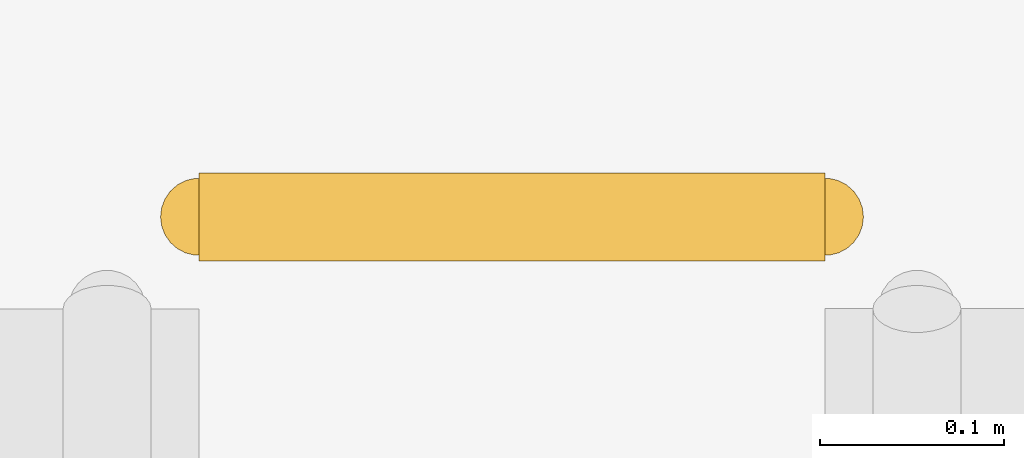
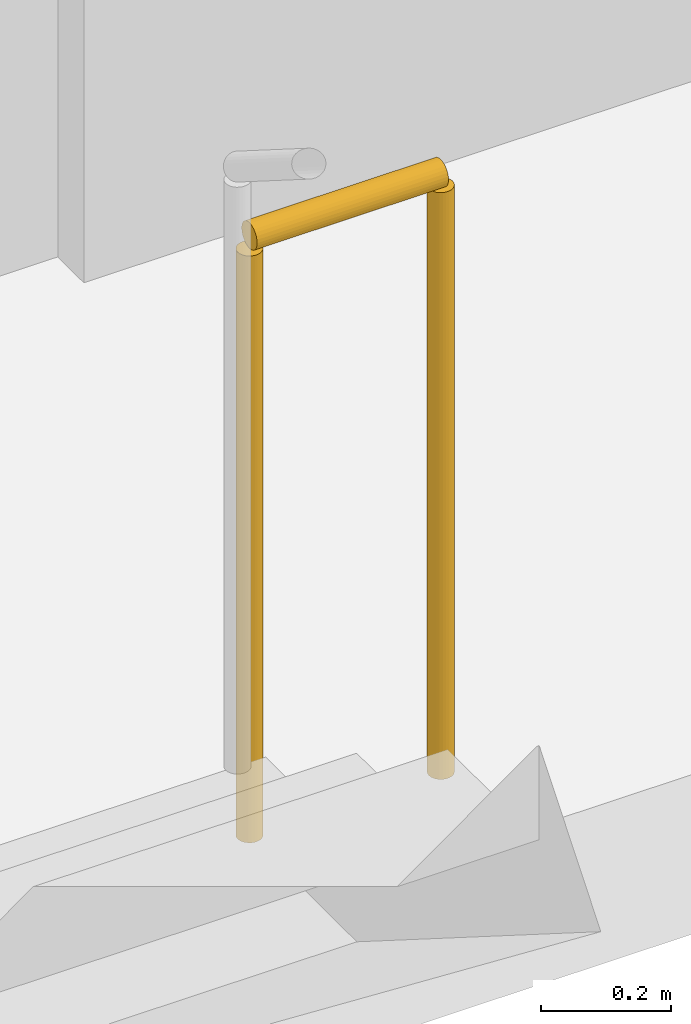
# One storey, part 20 of 27: 1 railing.
"""IFC4 building model written with IfcOpenShell, lengths in metres."""

from ifc_helpers import new_model, si_unit, direction, frame, origin, origin_2d, place, context, subcontext, project, spatial, circle, extrude, material, type_object, element, save


model = new_model("IFC4")

# Units and contexts
model_context = context("Model", 3, precision=1e-05, world=origin(), true_north=direction((0.0, 1.0)))
body_context = subcontext(model_context, "Body", "Model", "MODEL_VIEW")
ifc_project = project(units=[si_unit("LENGTHUNIT", "METRE"), si_unit("AREAUNIT", "SQUARE_METRE"), si_unit("VOLUMEUNIT", "CUBIC_METRE"), si_unit("PLANEANGLEUNIT", "RADIAN"), si_unit("MASSUNIT", "GRAM", prefix="KILO")], contexts=[model_context])

# Site, building, storey
site_placement = place(None, origin())
site = spatial("IfcSite", under=ifc_project, at=site_placement, CompositionType="ELEMENT")
building_placement = place(site_placement, origin())
building = spatial("IfcBuilding", under=site, at=building_placement, Name="Qalmaran Belvedere Hotel", CompositionType="ELEMENT")
storey_placement = place(building_placement, frame((0.0, 0.0, 5.39990234375)))
storey = spatial("IfcBuildingStorey", under=building, at=storey_placement, Name="L01", CompositionType="ELEMENT", Elevation=5.39990234375)

# Railing
ifc_material = material(Name="Stainless Steel 1.4401", Category="steel")
railing_type = type_object("IfcRailingType", Name="RLG-STAIR-GUARD-1150", PredefinedType="GUARDRAIL", material=ifc_material)
railing_placement = place(storey_placement, frame((22.330078125, 16.239990234375, 0.0)))
element("IfcRailing", 1, at=railing_placement, inside=storey, type_object=railing_type, Name="L01 ST-1 stair guard 4", PredefinedType="GUARDRAIL", context=body_context, shape_type="SweptSolid", body=[
    extrude(circle(Radius=0.02392578125, at=origin_2d()), frame((0.0, 0.0, 1.1259765625), z_axis=(1.0, 0.0, 0.0), x_axis=(0.0, 1.0, 0.0)), (0.0, 0.0, 1.0), 0.33984375),
    extrude(circle(Radius=0.02099609375, at=origin_2d()), origin(), (0.0, 0.0, 1.0), 1.101806640625),
    extrude(circle(Radius=0.02099609375, at=origin_2d()), frame((0.33984375, 0.0, 0.0)), (0.0, 0.0, 1.0), 1.101806640625),
])

save(model, "model.ifc")
